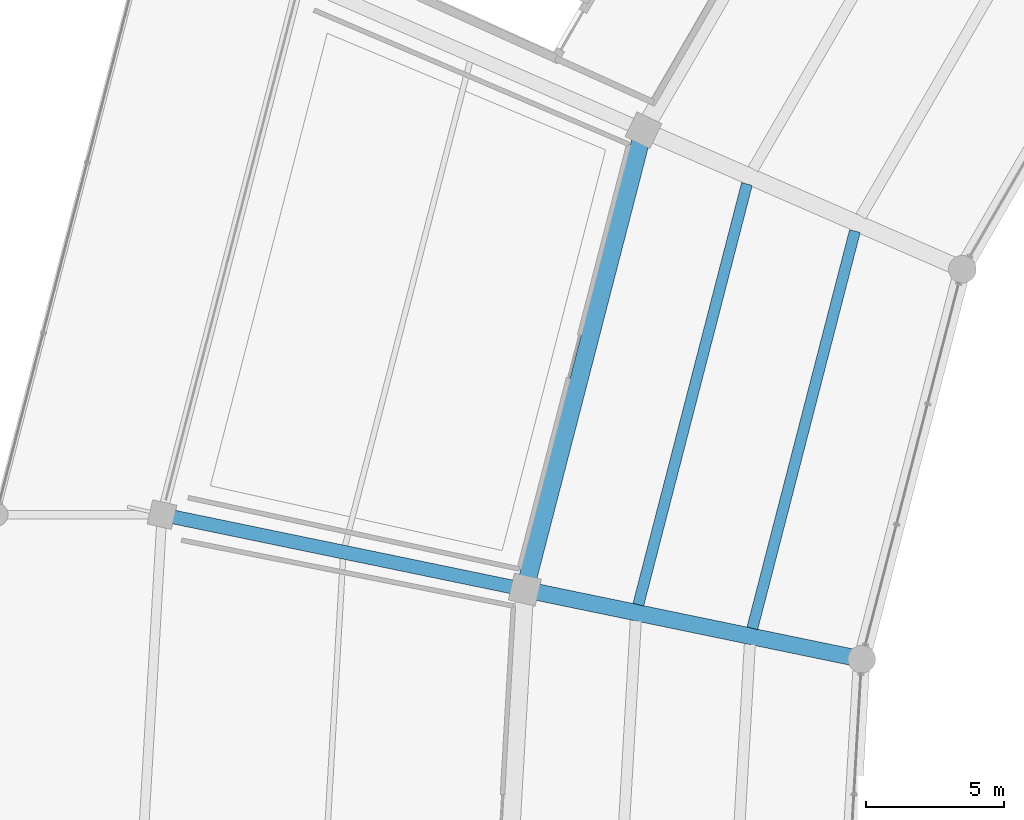
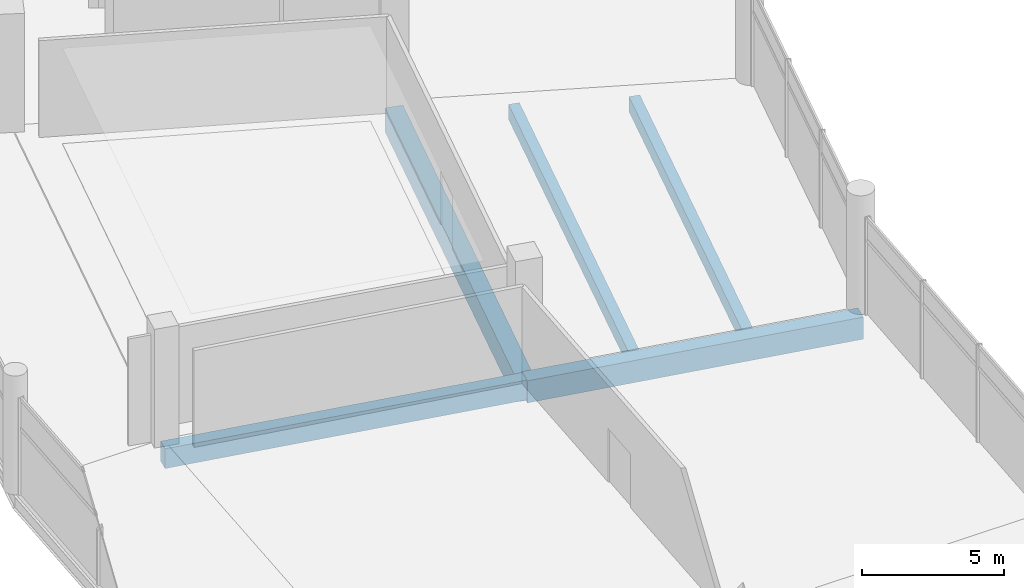
# One storey, part 49 of 184: 5 beams.
"""IFC4 building model written with IfcOpenShell, lengths in metres."""

from ifc_helpers import new_model, si_unit, direction, frame, origin, origin_2d, place, context, subcontext, project, spatial, rectangle, extrude, material, material_profile, profile_set, type_object, element, save


model = new_model("IFC4")

# Units and contexts
model_context = context("Model", 3, precision=1e-05, world=origin(), true_north=direction((0.0, 1.0)))
body_context = subcontext(model_context, "Body", "Model", "MODEL_VIEW")
ifc_project = project(units=[si_unit("LENGTHUNIT", "METRE"), si_unit("AREAUNIT", "SQUARE_METRE"), si_unit("VOLUMEUNIT", "CUBIC_METRE"), si_unit("PLANEANGLEUNIT", "RADIAN"), si_unit("MASSUNIT", "GRAM", prefix="KILO")], contexts=[model_context])

# Site, building, storey
site_placement = place(None, origin())
site = spatial("IfcSite", under=ifc_project, at=site_placement, CompositionType="ELEMENT")
building_placement = place(site_placement, origin())
building = spatial("IfcBuilding", under=site, at=building_placement, Name="Kazemori Nagisa Stadium", CompositionType="ELEMENT")
storey_placement = place(building_placement, frame((0.0, 0.0, 10.5400390625)))
storey = spatial("IfcBuildingStorey", under=building, at=storey_placement, Name="L02", CompositionType="ELEMENT", Elevation=10.5400390625)

# Beams
ifc_material = material(Name="Concrete C40/50 (Fc42)", Category="concrete")
ifc_material_profile_1 = material_profile(ifc_material, rectangle(XDim=0.5, YDim=0.85009765625, at=origin_2d()), Name="RC-BM-500x850")
ifc_profile_set_1 = profile_set([ifc_material_profile_1], Name="Concrete C40/50 (Fc42)")
beam_type_1 = type_object("IfcBeamType", Name="Beam_BG-RC500X850", PredefinedType="BEAM", material=ifc_profile_set_1)
beam_1_placement = place(storey_placement, frame((42.262451171875, 118.68212890625, -0.68505859375), z_axis=(-0.979315516463, 0.202339119339, 0.0), x_axis=(-0.202339119339, -0.979315516463, 0.0)))
element("IfcBeam", 1, at=beam_1_placement, inside=storey, type_object=beam_type_1, Name="Radial girder BG-RC500X850 L02 R2-R3-14", PredefinedType="BEAM", context=body_context, shape_type="SweptSolid", body=[
    extrude(rectangle(XDim=0.5, YDim=0.85009765625, at=origin_2d()), origin(), (0.0, 0.0, 1.0), 13.4208984375),
])
ifc_material_profile_2 = material_profile(ifc_material, rectangle(XDim=0.60009765625, YDim=0.949951171875, at=origin_2d()), Name="RC-BM-600x950")
ifc_profile_set_2 = profile_set([ifc_material_profile_2], Name="Concrete C40/50 (Fc42)")
beam_type_2 = type_object("IfcBeamType", Name="Beam_BG-RC600X950", PredefinedType="BEAM", material=ifc_profile_set_2)
beam_2_placement = place(storey_placement, frame((54.467041015625, 116.160400390625, -0.735107421875), z_axis=(-0.979313861938, 0.202347127025, 0.0), x_axis=(-0.202347127025, -0.979313861938, 0.0)))
element("IfcBeam", 2, at=beam_2_placement, inside=storey, type_object=beam_type_2, Name="Radial girder BG-RC600X950 L02 R1-R2-14", PredefinedType="BEAM", context=body_context, shape_type="SweptSolid", body=[
    extrude(rectangle(XDim=0.60009765625, YDim=0.949951171875, at=origin_2d()), origin(), (0.0, 0.0, 1.0), 12.46240234375),
])
ifc_material_profile_3 = material_profile(ifc_material, rectangle(XDim=0.64990234375, YDim=1.050048828125, at=origin_2d()), Name="RC-BM-650x1050")
ifc_profile_set_3 = profile_set([ifc_material_profile_3], Name="Concrete C40/50 (Fc42)")
beam_type_3 = type_object("IfcBeamType", Name="Beam_BG-RC650X1050", PredefinedType="BEAM", material=ifc_profile_set_3)
beam_3_placement = place(storey_placement, frame((46.55908203125, 135.32470703125, -0.78515625), z_axis=(-0.249974673676, -0.968252375427, 0.0), x_axis=(0.968252375427, -0.249974673676, 0.0)))
element("IfcBeam", 3, at=beam_3_placement, inside=storey, type_object=beam_type_3, Name="Ring girder BG-RC650X1050 L02 R2-13", PredefinedType="BEAM", context=body_context, shape_type="SweptSolid", body=[
    extrude(rectangle(XDim=0.64990234375, YDim=1.050048828125, at=origin_2d()), origin(), (0.0, 0.0, 1.0), 17.188232421875),
])
ifc_material_profile_4 = material_profile(ifc_material, rectangle(XDim=0.39990234375, YDim=0.64990234375, at=origin_2d()), Name="RC-BM-400x650")
ifc_profile_set_4 = profile_set([ifc_material_profile_4], Name="Concrete C40/50 (Fc42)")
beam_type_4 = type_object("IfcBeamType", Name="Beam_BJ-RC400X650", PredefinedType="JOIST", material=ifc_profile_set_4)
beam_4_placement = place(storey_placement, frame((54.21826171875, 131.667724609375, -0.5849609375), z_axis=(-0.24996646764, -0.968254493951, 0.0), x_axis=(0.968254493951, -0.24996646764, 0.0)))
element("IfcBeam", 4, at=beam_4_placement, inside=storey, type_object=beam_type_4, Name="Concourse joist BJ-RC400X650 L02 B13-1", PredefinedType="JOIST", context=body_context, shape_type="SweptSolid", body=[
    extrude(rectangle(XDim=0.39990234375, YDim=0.64990234375, at=origin_2d()), origin(), (0.0, 0.0, 1.0), 14.859375),
])
beam_5_placement = place(storey_placement, frame((50.307373046875, 133.372802734375, -0.5849609375), z_axis=(-0.24997419154, -0.968252499901, 0.0), x_axis=(0.968252499901, -0.24997419154, 0.0)))
element("IfcBeam", 5, at=beam_5_placement, inside=storey, type_object=beam_type_4, Name="Concourse joist BJ-RC400X650 L02 B13-2", PredefinedType="JOIST", context=body_context, shape_type="SweptSolid", body=[
    extrude(rectangle(XDim=0.39990234375, YDim=0.64990234375, at=origin_2d()), origin(), (0.0, 0.0, 1.0), 15.739013671875),
])

save(model, "model.ifc")
